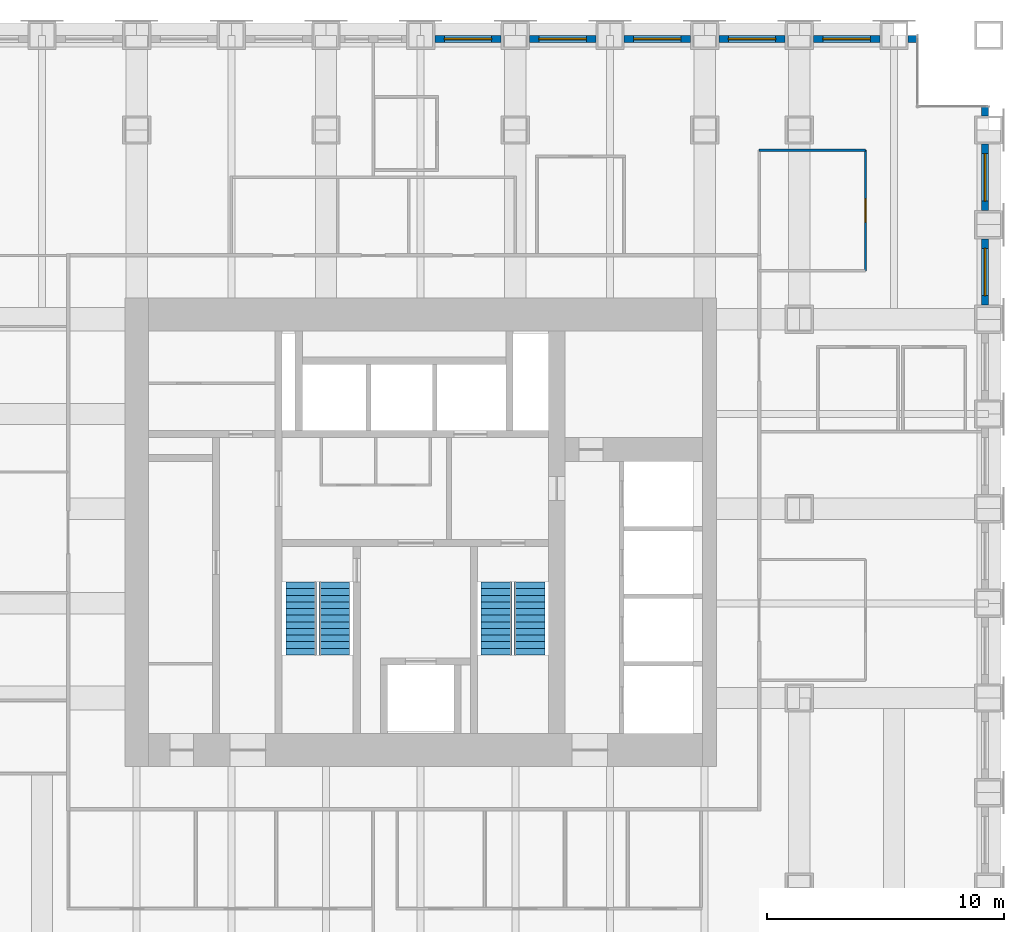
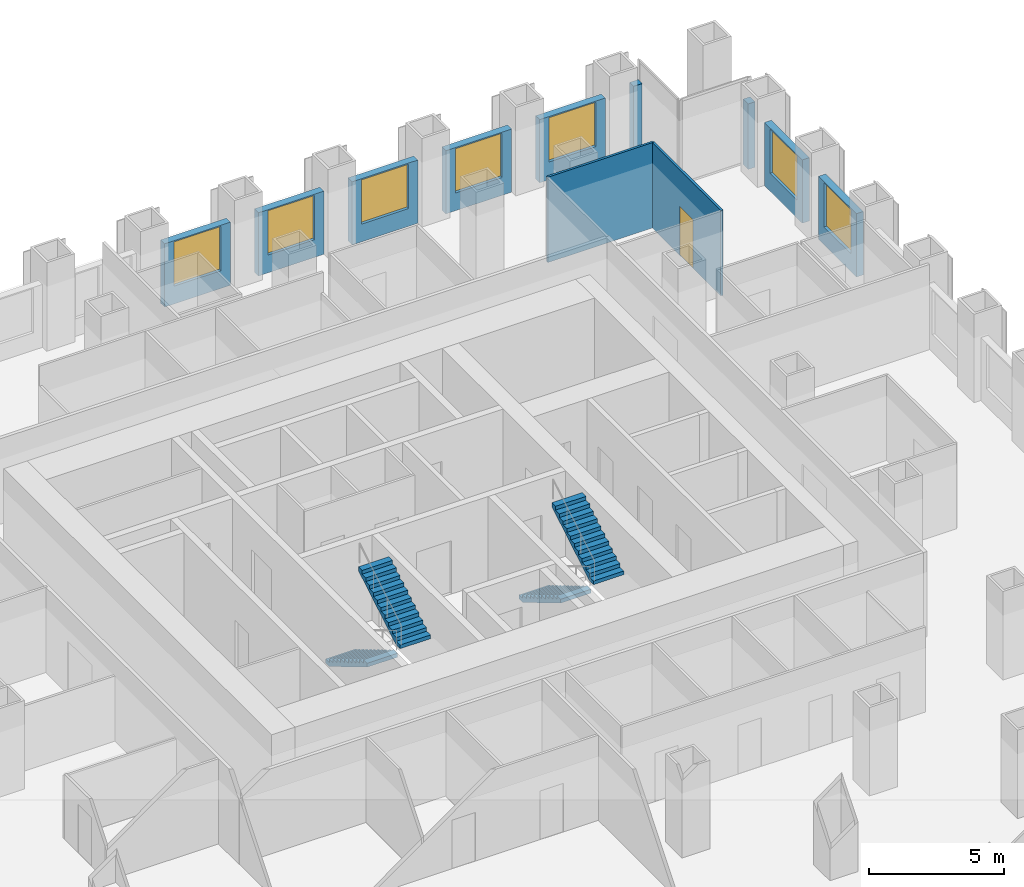
# One storey, part 12 of 14: 11 walls, 7 windows, 4 stair flights, 1 door, 8 openings, 2 elements without a shape of their own.
"""IFC4 building model written with IfcOpenShell, lengths in metres."""

from ifc_helpers import new_model, si_unit, direction, frame, frame_2d, origin, place, context, subcontext, project, spatial, polyline, rectangle, outline, extrude, material, layer, layer_set, type_object, element, fill, aggregate, save


model = new_model("IFC4")

# Units and contexts
model_context = context("Model", 3, precision=1e-05, world=origin(), true_north=direction((0.0, 1.0)))
body_context = subcontext(model_context, "Body", "Model", "MODEL_VIEW")
ifc_project = project(units=[si_unit("LENGTHUNIT", "METRE"), si_unit("AREAUNIT", "SQUARE_METRE"), si_unit("VOLUMEUNIT", "CUBIC_METRE"), si_unit("PLANEANGLEUNIT", "RADIAN"), si_unit("MASSUNIT", "GRAM", prefix="KILO")], contexts=[model_context])

# Site, building, storey
site_placement = place(None, origin())
site = spatial("IfcSite", under=ifc_project, at=site_placement, CompositionType="ELEMENT")
building_placement = place(site_placement, origin())
building = spatial("IfcBuilding", under=site, at=building_placement, Name="Rimbunsela Tower", CompositionType="ELEMENT")
storey_placement = place(building_placement, frame((0.0, 0.0, 51.0)))
storey = spatial("IfcBuildingStorey", under=building, at=storey_placement, Name="L12", CompositionType="ELEMENT", Elevation=51.0)

# Wall, opening, door
ifc_material_1 = material(Name="Gypsum board on steel studs", Category="steel")
ifc_layer_1 = layer(ifc_material_1, 0.10009765625)
ifc_layer_set_1 = layer_set([ifc_layer_1], Name="Office partition 100")
wall_type_1 = type_object("IfcWallType", Name="Office partition 100", PredefinedType="PARTITIONING", material=ifc_layer_set_1)
wall_1_placement = place(storey_placement, frame((48.800048828125, 38.050048828125, 0.0), z_axis=(0.0, 0.0, 1.0), x_axis=(0.0, 1.0, 0.0)))
wall_1 = element("IfcWall", 1, at=wall_1_placement, inside=storey, type_object=wall_type_1, Name="Office partition", PredefinedType="PARTITIONING", context=body_context, shape_type="SweptSolid", body=[
    extrude(rectangle(XDim=5.099853515625, YDim=0.10009765625, at=frame_2d((2.5498046875, 0.0))), origin(), (0.0, 0.0, 1.0), 3.85009765625),
])
opening_1_placement = place(wall_1_placement, frame((2.050048828125, 0.0, 0.0)))
opening_1 = element("IfcOpeningElement", 2, at=opening_1_placement, cuts=wall_1, Name="Opening D17", PredefinedType="OPENING", context=body_context, shape_type="SweptSolid", body=[
    extrude(rectangle(XDim=1.0, YDim=2.199951171875, at=frame_2d((0.5, 1.10009765625))), frame((0.0, 0.06005859375, 0.0), z_axis=(0.0, -1.0, 0.0), x_axis=(1.0, 0.0, 0.0)), (0.0, 0.0, 1.0), 0.1201171875),
])
ifc_material_2 = material(Name="Glazed aluminium door", Category="aluminium")
door_type = type_object("IfcDoorType", Name="Meeting room door 1000 glazed", OperationType="SINGLE_SWING_RIGHT", PredefinedType="DOOR", material=ifc_material_2)
door_placement = place(opening_1_placement, origin())
door = element("IfcDoor", 3, at=door_placement, inside=storey, type_object=door_type, Name="Reception door", OperationType="SINGLE_SWING_RIGHT", OverallHeight=2.199951171875, OverallWidth=1.0, PredefinedType="DOOR", context=body_context, shape_type="SweptSolid", body=[
    extrude(rectangle(XDim=1.0, YDim=2.199951171875, at=frame_2d((0.5, 1.10009765625))), frame((0.0, 0.02490234375, 0.0), z_axis=(0.0, -1.0, 0.0), x_axis=(1.0, 0.0, 0.0)), (0.0, 0.0, 1.0), 0.050048828125),
])
fill(opening_1, door)

# Wall
wall_2_placement = place(storey_placement, frame((48.800048828125, 43.14990234375, 0.0), z_axis=(0.0, 0.0, 1.0), x_axis=(-1.0, 0.0, 0.0)))
element("IfcWall", 4, at=wall_2_placement, inside=storey, type_object=wall_type_1, Name="Office partition", PredefinedType="PARTITIONING", context=body_context, shape_type="SweptSolid", body=[
    extrude(rectangle(XDim=4.5, YDim=0.10009765625, at=frame_2d((2.25, 0.0))), origin(), (0.0, 0.0, 1.0), 3.85009765625),
])

# Wall, opening, window
ifc_material_3 = material(Name="Precast concrete fc' 35 MPa", Category="concrete")
ifc_layer_2 = layer(ifc_material_3, 0.300048828125)
ifc_layer_set_2 = layer_set([ifc_layer_2], Name="Precast concrete fc' 35 MPa")
wall_type_2 = type_object("IfcWallType", Name="Precast facade panel 300", PredefinedType="ELEMENTEDWALL", material=ifc_layer_set_2)
wall_3_placement = place(storey_placement, frame((53.85009765625, 36.60009765625, 0.0), z_axis=(0.0, 0.0, 1.0), x_axis=(0.0, 1.0, 0.0)))
wall_3 = element("IfcWall", 5, at=wall_3_placement, inside=storey, type_object=wall_type_2, Name="Facade panel E L12", PredefinedType="ELEMENTEDWALL", context=body_context, shape_type="SweptSolid", body=[
    extrude(rectangle(XDim=2.7998046875, YDim=0.300048828125, at=frame_2d((1.39990234375, 0.0))), origin(), (0.0, 0.0, 1.0), 2.85009765625),
])
opening_2_placement = place(wall_3_placement, frame((0.39990234375, 0.0, 0.800048828125)))
opening_2 = element("IfcOpeningElement", 6, at=opening_2_placement, cuts=wall_3, Name="Opening W1", PredefinedType="OPENING", context=body_context, shape_type="SweptSolid", body=[
    extrude(rectangle(XDim=2.0, YDim=2.0, at=frame_2d((1.0, 1.0))), frame((0.0, 0.159912109375, 0.0), z_axis=(0.0, -1.0, 0.0), x_axis=(1.0, 0.0, 0.0)), (0.0, 0.0, 1.0), 0.320068359375),
])
ifc_material_4 = material(Name="Clear glass in aluminium frame", Category="aluminium")
window_type = type_object("IfcWindowType", Name="Window W1 2000x2000", PartitioningType="DOUBLE_PANEL_VERTICAL", PredefinedType="WINDOW", material=ifc_material_4)
window_1_placement = place(opening_2_placement, origin())
window_1 = element("IfcWindow", 7, at=window_1_placement, inside=storey, type_object=window_type, Name="Window L12", OverallHeight=2.0, OverallWidth=2.0, PartitioningType="SINGLE_PANEL", PredefinedType="WINDOW", context=body_context, shape_type="SweptSolid", body=[
    extrude(rectangle(XDim=2.0, YDim=2.0, at=frame_2d((1.0, 1.0))), frame((0.0, 0.030029296875, 0.0), z_axis=(0.0, -1.0, 0.0), x_axis=(1.0, 0.0, 0.0)), (0.0, 0.0, 1.0), 0.06005859375),
])
fill(opening_2, window_1)

wall_4_placement = place(storey_placement, frame((53.85009765625, 40.60009765625, 0.0), z_axis=(0.0, 0.0, 1.0), x_axis=(0.0, 1.0, 0.0)))
wall_4 = element("IfcWall", 8, at=wall_4_placement, inside=storey, type_object=wall_type_2, Name="Facade panel E L12", PredefinedType="ELEMENTEDWALL", context=body_context, shape_type="SweptSolid", body=[
    extrude(rectangle(XDim=2.7998046875, YDim=0.300048828125, at=frame_2d((1.39990234375, 0.0))), origin(), (0.0, 0.0, 1.0), 2.85009765625),
])
opening_3_placement = place(wall_4_placement, frame((0.39990234375, 0.0, 0.800048828125)))
opening_3 = element("IfcOpeningElement", 9, at=opening_3_placement, cuts=wall_4, Name="Opening W1", PredefinedType="OPENING", context=body_context, shape_type="SweptSolid", body=[
    extrude(rectangle(XDim=2.0, YDim=2.0, at=frame_2d((1.0, 1.0))), frame((0.0, 0.159912109375, 0.0), z_axis=(0.0, -1.0, 0.0), x_axis=(1.0, 0.0, 0.0)), (0.0, 0.0, 1.0), 0.320068359375),
])
window_2_placement = place(opening_3_placement, origin())
window_2 = element("IfcWindow", 10, at=window_2_placement, inside=storey, type_object=window_type, Name="Window L12", OverallHeight=2.0, OverallWidth=2.0, PartitioningType="SINGLE_PANEL", PredefinedType="WINDOW", context=body_context, shape_type="SweptSolid", body=[
    extrude(rectangle(XDim=2.0, YDim=2.0, at=frame_2d((1.0, 1.0))), frame((0.0, 0.030029296875, 0.0), z_axis=(0.0, -1.0, 0.0), x_axis=(1.0, 0.0, 0.0)), (0.0, 0.0, 1.0), 0.06005859375),
])
fill(opening_3, window_2)

# Wall
wall_5_placement = place(storey_placement, frame((53.85009765625, 44.60009765625, 0.0), z_axis=(0.0, 0.0, 1.0), x_axis=(0.0, 1.0, 0.0)))
element("IfcWall", 11, at=wall_5_placement, inside=storey, type_object=wall_type_2, Name="Facade panel E L12", PredefinedType="ELEMENTEDWALL", context=body_context, shape_type="SweptSolid", body=[
    extrude(rectangle(XDim=0.369873046875, YDim=0.300048828125, at=frame_2d((0.18505859375, 0.0))), origin(), (0.0, 0.0, 1.0), 2.949951171875),
])

# Wall, opening, window
wall_6_placement = place(storey_placement, frame((33.39990234375, 47.85009765625, 0.0), z_axis=(0.0, 0.0, 1.0), x_axis=(-1.0, 0.0, 0.0)))
wall_6 = element("IfcWall", 12, at=wall_6_placement, inside=storey, type_object=wall_type_2, Name="Facade panel N L12", PredefinedType="ELEMENTEDWALL", context=body_context, shape_type="SweptSolid", body=[
    extrude(rectangle(XDim=2.7998046875, YDim=0.300048828125, at=frame_2d((1.39990234375, 0.0))), origin(), (0.0, 0.0, 1.0), 2.85009765625),
])
opening_4_placement = place(wall_6_placement, frame((0.39990234375, 0.0, 0.800048828125)))
opening_4 = element("IfcOpeningElement", 13, at=opening_4_placement, cuts=wall_6, Name="Opening W1", PredefinedType="OPENING", context=body_context, shape_type="SweptSolid", body=[
    extrude(rectangle(XDim=2.0, YDim=2.0, at=frame_2d((1.0, 1.0))), frame((0.0, 0.159912109375, 0.0), z_axis=(0.0, -1.0, 0.0), x_axis=(1.0, 0.0, 0.0)), (0.0, 0.0, 1.0), 0.320068359375),
])
window_3_placement = place(opening_4_placement, origin())
window_3 = element("IfcWindow", 14, at=window_3_placement, inside=storey, type_object=window_type, Name="Window L12", OverallHeight=2.0, OverallWidth=2.0, PartitioningType="SINGLE_PANEL", PredefinedType="WINDOW", context=body_context, shape_type="SweptSolid", body=[
    extrude(rectangle(XDim=2.0, YDim=2.0, at=frame_2d((1.0, 1.0))), frame((0.0, 0.030029296875, 0.0), z_axis=(0.0, -1.0, 0.0), x_axis=(1.0, 0.0, 0.0)), (0.0, 0.0, 1.0), 0.06005859375),
])
fill(opening_4, window_3)

wall_7_placement = place(storey_placement, frame((37.39990234375, 47.85009765625, 0.0), z_axis=(0.0, 0.0, 1.0), x_axis=(-1.0, 0.0, 0.0)))
wall_7 = element("IfcWall", 15, at=wall_7_placement, inside=storey, type_object=wall_type_2, Name="Facade panel N L12", PredefinedType="ELEMENTEDWALL", context=body_context, shape_type="SweptSolid", body=[
    extrude(rectangle(XDim=2.7998046875, YDim=0.300048828125, at=frame_2d((1.39990234375, 0.0))), origin(), (0.0, 0.0, 1.0), 2.85009765625),
])
opening_5_placement = place(wall_7_placement, frame((0.39990234375, 0.0, 0.800048828125)))
opening_5 = element("IfcOpeningElement", 16, at=opening_5_placement, cuts=wall_7, Name="Opening W1", PredefinedType="OPENING", context=body_context, shape_type="SweptSolid", body=[
    extrude(rectangle(XDim=2.0, YDim=2.0, at=frame_2d((1.0, 1.0))), frame((0.0, 0.159912109375, 0.0), z_axis=(0.0, -1.0, 0.0), x_axis=(1.0, 0.0, 0.0)), (0.0, 0.0, 1.0), 0.320068359375),
])
window_4_placement = place(opening_5_placement, origin())
window_4 = element("IfcWindow", 17, at=window_4_placement, inside=storey, type_object=window_type, Name="Window L12", OverallHeight=2.0, OverallWidth=2.0, PartitioningType="SINGLE_PANEL", PredefinedType="WINDOW", context=body_context, shape_type="SweptSolid", body=[
    extrude(rectangle(XDim=2.0, YDim=2.0, at=frame_2d((1.0, 1.0))), frame((0.0, 0.030029296875, 0.0), z_axis=(0.0, -1.0, 0.0), x_axis=(1.0, 0.0, 0.0)), (0.0, 0.0, 1.0), 0.06005859375),
])
fill(opening_5, window_4)

wall_8_placement = place(storey_placement, frame((41.39990234375, 47.85009765625, 0.0), z_axis=(0.0, 0.0, 1.0), x_axis=(-1.0, 0.0, 0.0)))
wall_8 = element("IfcWall", 18, at=wall_8_placement, inside=storey, type_object=wall_type_2, Name="Facade panel N L12", PredefinedType="ELEMENTEDWALL", context=body_context, shape_type="SweptSolid", body=[
    extrude(rectangle(XDim=2.7998046875, YDim=0.300048828125, at=frame_2d((1.39990234375, 0.0))), origin(), (0.0, 0.0, 1.0), 2.85009765625),
])
opening_6_placement = place(wall_8_placement, frame((0.39990234375, 0.0, 0.800048828125)))
opening_6 = element("IfcOpeningElement", 19, at=opening_6_placement, cuts=wall_8, Name="Opening W1", PredefinedType="OPENING", context=body_context, shape_type="SweptSolid", body=[
    extrude(rectangle(XDim=2.0, YDim=2.0, at=frame_2d((1.0, 1.0))), frame((0.0, 0.159912109375, 0.0), z_axis=(0.0, -1.0, 0.0), x_axis=(1.0, 0.0, 0.0)), (0.0, 0.0, 1.0), 0.320068359375),
])
window_5_placement = place(opening_6_placement, origin())
window_5 = element("IfcWindow", 20, at=window_5_placement, inside=storey, type_object=window_type, Name="Window L12", OverallHeight=2.0, OverallWidth=2.0, PartitioningType="SINGLE_PANEL", PredefinedType="WINDOW", context=body_context, shape_type="SweptSolid", body=[
    extrude(rectangle(XDim=2.0, YDim=2.0, at=frame_2d((1.0, 1.0))), frame((0.0, 0.030029296875, 0.0), z_axis=(0.0, -1.0, 0.0), x_axis=(1.0, 0.0, 0.0)), (0.0, 0.0, 1.0), 0.06005859375),
])
fill(opening_6, window_5)

wall_9_placement = place(storey_placement, frame((45.39990234375, 47.85009765625, 0.0), z_axis=(0.0, 0.0, 1.0), x_axis=(-1.0, 0.0, 0.0)))
wall_9 = element("IfcWall", 21, at=wall_9_placement, inside=storey, type_object=wall_type_2, Name="Facade panel N L12", PredefinedType="ELEMENTEDWALL", context=body_context, shape_type="SweptSolid", body=[
    extrude(rectangle(XDim=2.7998046875, YDim=0.300048828125, at=frame_2d((1.39990234375, 0.0))), origin(), (0.0, 0.0, 1.0), 2.85009765625),
])
opening_7_placement = place(wall_9_placement, frame((0.39990234375, 0.0, 0.800048828125)))
opening_7 = element("IfcOpeningElement", 22, at=opening_7_placement, cuts=wall_9, Name="Opening W1", PredefinedType="OPENING", context=body_context, shape_type="SweptSolid", body=[
    extrude(rectangle(XDim=2.0, YDim=2.0, at=frame_2d((1.0, 1.0))), frame((0.0, 0.159912109375, 0.0), z_axis=(0.0, -1.0, 0.0), x_axis=(1.0, 0.0, 0.0)), (0.0, 0.0, 1.0), 0.320068359375),
])
window_6_placement = place(opening_7_placement, origin())
window_6 = element("IfcWindow", 23, at=window_6_placement, inside=storey, type_object=window_type, Name="Window L12", OverallHeight=2.0, OverallWidth=2.0, PartitioningType="SINGLE_PANEL", PredefinedType="WINDOW", context=body_context, shape_type="SweptSolid", body=[
    extrude(rectangle(XDim=2.0, YDim=2.0, at=frame_2d((1.0, 1.0))), frame((0.0, 0.030029296875, 0.0), z_axis=(0.0, -1.0, 0.0), x_axis=(1.0, 0.0, 0.0)), (0.0, 0.0, 1.0), 0.06005859375),
])
fill(opening_7, window_6)

wall_10_placement = place(storey_placement, frame((49.39990234375, 47.85009765625, 0.0), z_axis=(0.0, 0.0, 1.0), x_axis=(-1.0, 0.0, 0.0)))
wall_10 = element("IfcWall", 24, at=wall_10_placement, inside=storey, type_object=wall_type_2, Name="Facade panel N L12", PredefinedType="ELEMENTEDWALL", context=body_context, shape_type="SweptSolid", body=[
    extrude(rectangle(XDim=2.7998046875, YDim=0.300048828125, at=frame_2d((1.39990234375, 0.0))), origin(), (0.0, 0.0, 1.0), 2.85009765625),
])
opening_8_placement = place(wall_10_placement, frame((0.39990234375, 0.0, 0.800048828125)))
opening_8 = element("IfcOpeningElement", 25, at=opening_8_placement, cuts=wall_10, Name="Opening W1", PredefinedType="OPENING", context=body_context, shape_type="SweptSolid", body=[
    extrude(rectangle(XDim=2.0, YDim=2.0, at=frame_2d((1.0, 1.0))), frame((0.0, 0.159912109375, 0.0), z_axis=(0.0, -1.0, 0.0), x_axis=(1.0, 0.0, 0.0)), (0.0, 0.0, 1.0), 0.320068359375),
])
window_7_placement = place(opening_8_placement, origin())
window_7 = element("IfcWindow", 26, at=window_7_placement, inside=storey, type_object=window_type, Name="Window L12", OverallHeight=2.0, OverallWidth=2.0, PartitioningType="SINGLE_PANEL", PredefinedType="WINDOW", context=body_context, shape_type="SweptSolid", body=[
    extrude(rectangle(XDim=2.0, YDim=2.0, at=frame_2d((1.0, 1.0))), frame((0.0, 0.030029296875, 0.0), z_axis=(0.0, -1.0, 0.0), x_axis=(1.0, 0.0, 0.0)), (0.0, 0.0, 1.0), 0.06005859375),
])
fill(opening_8, window_7)

# Wall
wall_11_placement = place(storey_placement, frame((50.969970703125, 47.85009765625, 0.0), z_axis=(0.0, 0.0, 1.0), x_axis=(-1.0, 0.0, 0.0)))
element("IfcWall", 27, at=wall_11_placement, inside=storey, type_object=wall_type_2, Name="Facade panel N L12", PredefinedType="ELEMENTEDWALL", context=body_context, shape_type="SweptSolid", body=[
    extrude(rectangle(XDim=0.369873046875, YDim=0.300048828125, at=frame_2d((0.18505859375, 0.0))), origin(), (0.0, 0.0, 1.0), 2.949951171875),
])

# Stair, stair flights
ifc_material_5 = material(Name="Concrete fc' 35 MPa", Category="concrete")
stair_type = type_object("IfcStairType", Name="Exit stair 24 risers", PredefinedType="HALF_TURN_STAIR", material=ifc_material_5)
stair_1_placement = place(storey_placement, origin())
stair_1 = element("IfcStair", 28, at=stair_1_placement, inside=storey, type_object=stair_type, Name="Exit stair A L12", PredefinedType="HALF_TURN_STAIR")
ifc_material_6 = material(Name="Concrete fc' 35 MPa", Category="concrete")
stair_flight_type = type_object("IfcStairFlightType", Name="Stair flight 12 risers 167", PredefinedType="STRAIGHT", material=ifc_material_6)
stair_flight_1_placement = place(storey_placement, frame((24.949951171875, 24.89990234375, 0.0), z_axis=(0.0, 0.0, 1.0), x_axis=(0.0, -1.0, 0.0)))
stair_flight_1 = element("IfcStairFlight", 29, at=stair_flight_1_placement, type_object=stair_flight_type, Name="ST-A flight 1", NumberOfRisers=12, NumberOfTreads=11, PredefinedType="STRAIGHT", RiserHeight=0.166666667, TreadLength=0.28, context=body_context, shape_type="SweptSolid", body=[
    extrude(outline(polyline([(0.0, 0.0), (0.0, 0.166748046875), (0.280029296875, 0.166748046875), (0.280029296875, 0.333251953125), (0.56005859375, 0.333251953125), (0.56005859375, 0.5), (0.840087890625, 0.5), (0.840087890625, 0.666748046875), (1.1201171875, 0.666748046875), (1.1201171875, 0.833251953125), (1.39990234375, 0.833251953125), (1.39990234375, 1.0), (1.679931640625, 1.0), (1.679931640625, 1.166748046875), (1.9599609375, 1.166748046875), (1.9599609375, 1.333251953125), (2.239990234375, 1.333251953125), (2.239990234375, 1.5), (2.52001953125, 1.5), (2.52001953125, 1.666748046875), (2.800048828125, 1.666748046875), (2.800048828125, 1.833251953125), (3.080078125, 1.833251953125), (3.080078125, 2.0), (3.080078125, 1.658935546875), (0.29296875, 0.0), (0.0, 0.0)])), frame((0.0, 0.64990234375, 0.0), z_axis=(0.0, -1.0, 0.0), x_axis=(1.0, 0.0, 0.0)), (0.0, 0.0, 1.0), 1.300048828125),
])
stair_flight_2_placement = place(storey_placement, frame((26.35009765625, 21.820068359375, 2.0), z_axis=(0.0, 0.0, 1.0), x_axis=(0.0, 1.0, 0.0)))
stair_flight_2 = element("IfcStairFlight", 30, at=stair_flight_2_placement, type_object=stair_flight_type, Name="ST-A flight 2", NumberOfRisers=12, NumberOfTreads=11, PredefinedType="STRAIGHT", RiserHeight=0.166666667, TreadLength=0.28, context=body_context, shape_type="SweptSolid", body=[
    extrude(outline(polyline([(0.0, 0.0), (0.0, 0.166748046875), (0.280029296875, 0.166748046875), (0.280029296875, 0.333251953125), (0.56005859375, 0.333251953125), (0.56005859375, 0.5), (0.840087890625, 0.5), (0.840087890625, 0.666748046875), (1.1201171875, 0.666748046875), (1.1201171875, 0.833251953125), (1.39990234375, 0.833251953125), (1.39990234375, 1.0), (1.679931640625, 1.0), (1.679931640625, 1.166748046875), (1.9599609375, 1.166748046875), (1.9599609375, 1.333251953125), (2.239990234375, 1.333251953125), (2.239990234375, 1.5), (2.52001953125, 1.5), (2.52001953125, 1.666748046875), (2.800048828125, 1.666748046875), (2.800048828125, 1.833251953125), (3.080078125, 1.833251953125), (3.080078125, 2.0), (3.080078125, 1.658935546875), (0.29296875, 0.0), (0.0, 0.0)])), frame((0.0, 0.64990234375, 0.0), z_axis=(0.0, -1.0, 0.0), x_axis=(1.0, 0.0, 0.0)), (0.0, 0.0, 1.0), 1.300048828125),
])
aggregate(stair_1, [stair_flight_1, stair_flight_2])

stair_2_placement = place(storey_placement, origin())
stair_2 = element("IfcStair", 31, at=stair_2_placement, inside=storey, type_object=stair_type, Name="Exit stair B L12", PredefinedType="HALF_TURN_STAIR")
stair_flight_3_placement = place(storey_placement, frame((33.199951171875, 24.89990234375, 0.0), z_axis=(0.0, 0.0, 1.0), x_axis=(0.0, -1.0, 0.0)))
stair_flight_3 = element("IfcStairFlight", 32, at=stair_flight_3_placement, type_object=stair_flight_type, Name="ST-B flight 1", NumberOfRisers=12, NumberOfTreads=11, PredefinedType="STRAIGHT", RiserHeight=0.166666667, TreadLength=0.28, context=body_context, shape_type="SweptSolid", body=[
    extrude(outline(polyline([(0.0, 0.0), (0.0, 0.166748046875), (0.280029296875, 0.166748046875), (0.280029296875, 0.333251953125), (0.56005859375, 0.333251953125), (0.56005859375, 0.5), (0.840087890625, 0.5), (0.840087890625, 0.666748046875), (1.1201171875, 0.666748046875), (1.1201171875, 0.833251953125), (1.39990234375, 0.833251953125), (1.39990234375, 1.0), (1.679931640625, 1.0), (1.679931640625, 1.166748046875), (1.9599609375, 1.166748046875), (1.9599609375, 1.333251953125), (2.239990234375, 1.333251953125), (2.239990234375, 1.5), (2.52001953125, 1.5), (2.52001953125, 1.666748046875), (2.800048828125, 1.666748046875), (2.800048828125, 1.833251953125), (3.080078125, 1.833251953125), (3.080078125, 2.0), (3.080078125, 1.658935546875), (0.29296875, 0.0), (0.0, 0.0)])), frame((0.0, 0.64990234375, 0.0), z_axis=(0.0, -1.0, 0.0), x_axis=(1.0, 0.0, 0.0)), (0.0, 0.0, 1.0), 1.300048828125),
])
stair_flight_4_placement = place(storey_placement, frame((34.60009765625, 21.820068359375, 2.0), z_axis=(0.0, 0.0, 1.0), x_axis=(0.0, 1.0, 0.0)))
stair_flight_4 = element("IfcStairFlight", 33, at=stair_flight_4_placement, type_object=stair_flight_type, Name="ST-B flight 2", NumberOfRisers=12, NumberOfTreads=11, PredefinedType="STRAIGHT", RiserHeight=0.166666667, TreadLength=0.28, context=body_context, shape_type="SweptSolid", body=[
    extrude(outline(polyline([(0.0, 0.0), (0.0, 0.166748046875), (0.280029296875, 0.166748046875), (0.280029296875, 0.333251953125), (0.56005859375, 0.333251953125), (0.56005859375, 0.5), (0.840087890625, 0.5), (0.840087890625, 0.666748046875), (1.1201171875, 0.666748046875), (1.1201171875, 0.833251953125), (1.39990234375, 0.833251953125), (1.39990234375, 1.0), (1.679931640625, 1.0), (1.679931640625, 1.166748046875), (1.9599609375, 1.166748046875), (1.9599609375, 1.333251953125), (2.239990234375, 1.333251953125), (2.239990234375, 1.5), (2.52001953125, 1.5), (2.52001953125, 1.666748046875), (2.800048828125, 1.666748046875), (2.800048828125, 1.833251953125), (3.080078125, 1.833251953125), (3.080078125, 2.0), (3.080078125, 1.658935546875), (0.29296875, 0.0), (0.0, 0.0)])), frame((0.0, 0.64990234375, 0.0), z_axis=(0.0, -1.0, 0.0), x_axis=(1.0, 0.0, 0.0)), (0.0, 0.0, 1.0), 1.300048828125),
])
aggregate(stair_2, [stair_flight_3, stair_flight_4])

save(model, "model.ifc")
